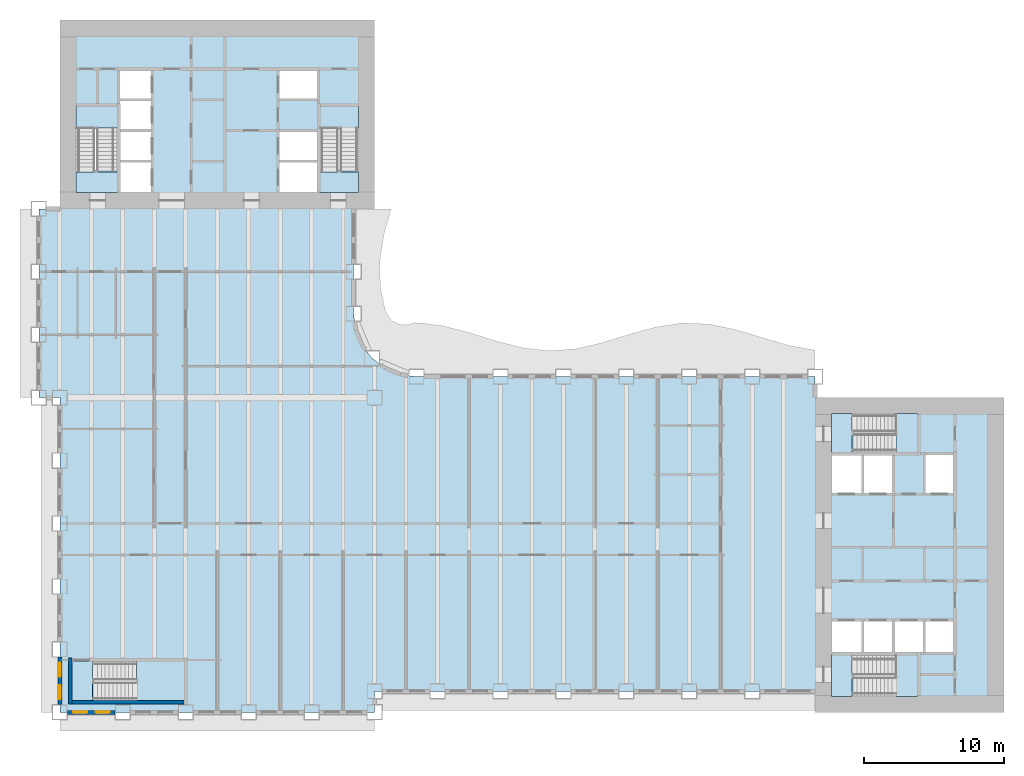
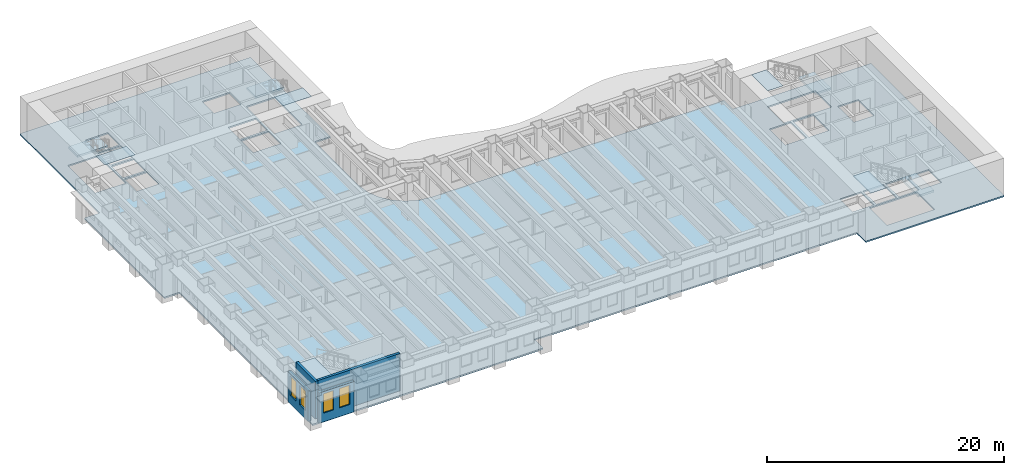
# One storey, part 2 of 16: 11 slabs, 4 walls, 4 windows, 4 openings, 5 elements without a shape of their own.
"""IFC4 building model written with IfcOpenShell, lengths in metres."""

from ifc_helpers import new_model, si_unit, direction, frame, frame_2d, origin, place, context, subcontext, project, spatial, polyline, rectangle, outline, extrude, material, layer, layer_set, type_object, element, fill, aggregate, save


model = new_model("IFC4")

# Units and contexts
model_context = context("Model", 3, precision=1e-05, world=origin(), true_north=direction((0.0, 1.0)))
body_context = subcontext(model_context, "Body", "Model", "MODEL_VIEW")
ifc_project = project(units=[si_unit("LENGTHUNIT", "METRE"), si_unit("AREAUNIT", "SQUARE_METRE"), si_unit("VOLUMEUNIT", "CUBIC_METRE"), si_unit("PLANEANGLEUNIT", "RADIAN"), si_unit("MASSUNIT", "GRAM", prefix="KILO")], contexts=[model_context])

# Site, building, storey
site_placement = place(None, origin())
site = spatial("IfcSite", under=ifc_project, at=site_placement, CompositionType="ELEMENT")
building_placement = place(site_placement, origin())
building = spatial("IfcBuilding", under=site, at=building_placement, Name="Sennacour Bend Tower", CompositionType="ELEMENT")
storey_placement = place(building_placement, frame((0.0, 0.0, 45.0)))
storey = spatial("IfcBuildingStorey", under=building, at=storey_placement, Name="L09", CompositionType="ELEMENT", Elevation=45.0)

# Slabs
ifc_material_1 = material(Name="Concrete C30/37", Category="concrete")
ifc_layer_1 = layer(ifc_material_1, 0.14990234375, Name="Concrete C30/37", Category="concrete")
ifc_layer_set_1 = layer_set([ifc_layer_1], Name="Concrete C30/37")
slab_type_1 = type_object("IfcSlabType", Name="Floor slab 150", PredefinedType="FLOOR", material=ifc_layer_set_1)
slab_1_placement = place(storey_placement, frame((0.0, 0.0, -0.14990234375)))
element("IfcSlab", 1, at=slab_1_placement, inside=storey, type_object=slab_type_1, Name="Floor slab L09-01", PredefinedType="FLOOR", context=body_context, shape_type="SweptSolid", body=[
    extrude(outline(polyline([(0.0, 22.5), (-1.5, 22.5), (-1.5, 36.0), (0.0, 36.0), (0.0, 49.5), (22.5, 49.5), (22.5, 36.0), (21.0, 36.0), (21.0, 28.5), (21.1533203125, 27.335205078125), (21.602783203125, 26.25), (22.318115234375, 25.318115234375), (23.25, 24.602783203125), (24.335205078125, 24.1533203125), (25.5, 24.0), (54.0, 24.0), (54.0, 22.5), (67.5, 22.5), (67.5, 0.0), (54.0, 0.0), (54.0, 1.5), (22.5, 1.5), (22.5, 0.0), (0.0, 0.0), (0.0, 22.5)]), holes=[polyline([(8.800048828125, 0.949951171875), (8.800048828125, 3.5), (2.429931640625, 3.5), (2.429931640625, 0.949951171875), (8.800048828125, 0.949951171875)]), polyline([(6.5, 37.199951171875), (6.5, 39.300048828125), (4.300048828125, 39.300048828125), (4.300048828125, 37.199951171875), (6.5, 37.199951171875)]), polyline([(18.39990234375, 37.199951171875), (18.39990234375, 39.300048828125), (15.699951171875, 39.300048828125), (15.699951171875, 37.199951171875), (18.39990234375, 37.199951171875)]), polyline([(6.5, 39.5), (6.5, 41.5), (4.300048828125, 41.5), (4.300048828125, 39.5), (6.5, 39.5)]), polyline([(18.39990234375, 39.5), (18.39990234375, 41.5), (15.699951171875, 41.5), (15.699951171875, 39.5), (18.39990234375, 39.5)]), polyline([(4.125, 38.72998046875), (4.125, 43.39990234375), (1.14990234375, 43.39990234375), (1.14990234375, 38.72998046875), (4.125, 38.72998046875)]), polyline([(21.35009765625, 38.72998046875), (21.35009765625, 43.39990234375), (18.574951171875, 43.39990234375), (18.574951171875, 38.72998046875), (21.35009765625, 38.72998046875)]), polyline([(4.300048828125, 41.699951171875), (6.5, 41.699951171875), (6.5, 43.699951171875), (4.300048828125, 43.699951171875), (4.300048828125, 41.699951171875)]), polyline([(4.300048828125, 43.89990234375), (6.5, 43.89990234375), (6.5, 45.89990234375), (4.300048828125, 45.89990234375), (4.300048828125, 43.89990234375)]), polyline([(18.39990234375, 43.89990234375), (18.39990234375, 45.89990234375), (15.699951171875, 45.89990234375), (15.699951171875, 43.89990234375), (18.39990234375, 43.89990234375)]), polyline([(61.39990234375, 1.14990234375), (61.39990234375, 4.125), (56.72998046875, 4.125), (56.72998046875, 1.14990234375), (61.39990234375, 1.14990234375)]), polyline([(57.300048828125, 4.300048828125), (57.300048828125, 6.5), (55.199951171875, 6.5), (55.199951171875, 4.300048828125), (57.300048828125, 4.300048828125)]), polyline([(57.5, 4.300048828125), (59.5, 4.300048828125), (59.5, 6.5), (57.5, 6.5), (57.5, 4.300048828125)]), polyline([(59.699951171875, 4.300048828125), (61.699951171875, 4.300048828125), (61.699951171875, 6.5), (59.699951171875, 6.5), (59.699951171875, 4.300048828125)]), polyline([(63.89990234375, 4.300048828125), (63.89990234375, 6.5), (61.89990234375, 6.5), (61.89990234375, 4.300048828125), (63.89990234375, 4.300048828125)]), polyline([(57.300048828125, 15.699951171875), (57.300048828125, 18.39990234375), (55.199951171875, 18.39990234375), (55.199951171875, 15.699951171875), (57.300048828125, 15.699951171875)]), polyline([(59.5, 15.699951171875), (59.5, 18.39990234375), (57.5, 18.39990234375), (57.5, 15.699951171875), (59.5, 15.699951171875)]), polyline([(61.89990234375, 15.699951171875), (63.89990234375, 15.699951171875), (63.89990234375, 18.39990234375), (61.89990234375, 18.39990234375), (61.89990234375, 15.699951171875)]), polyline([(56.72998046875, 18.574951171875), (61.39990234375, 18.574951171875), (61.39990234375, 21.35009765625), (56.72998046875, 21.35009765625), (56.72998046875, 18.574951171875)])]), origin(), (0.0, 0.0, 1.0), 0.14990234375),
])
ifc_material_2 = material(Name="Concrete C40/50", Category="concrete")
ifc_layer_2 = layer(ifc_material_2, 0.034912109375, Name="Concrete C40/50", Category="concrete")
ifc_layer_set_2 = layer_set([ifc_layer_2], Name="Concrete C40/50")
slab_type_2 = type_object("IfcSlabType", Name="Stair arrival nib 35", PredefinedType="FLOOR", material=ifc_layer_set_2)
slab_2_placement = place(storey_placement, frame((0.0, 0.0, 3.815185546875)))
element("IfcSlab", 2, at=slab_2_placement, inside=storey, type_object=slab_type_2, Name="L09 SA1 stair arrival nib", PredefinedType="FLOOR", context=body_context, shape_type="SweptSolid", body=[
    extrude(outline(polyline([(56.64208984375, 4.125), (55.14990234375, 4.125), (55.14990234375, 1.14990234375), (56.64208984375, 1.14990234375), (56.64208984375, 4.125)])), origin(), (0.0, 0.0, 1.0), 0.034912109375),
])
slab_3_placement = place(storey_placement, frame((0.0, 0.0, 3.815185546875)))
element("IfcSlab", 3, at=slab_3_placement, inside=storey, type_object=slab_type_2, Name="L09 SA2 stair arrival nib", PredefinedType="FLOOR", context=body_context, shape_type="SweptSolid", body=[
    extrude(outline(polyline([(56.64208984375, 21.35009765625), (55.14990234375, 21.35009765625), (55.14990234375, 18.574951171875), (56.64208984375, 18.574951171875), (56.64208984375, 21.35009765625)])), origin(), (0.0, 0.0, 1.0), 0.034912109375),
])
slab_4_placement = place(storey_placement, frame((0.0, 0.0, 3.815185546875)))
element("IfcSlab", 4, at=slab_4_placement, inside=storey, type_object=slab_type_2, Name="L09 SB1 stair arrival nib", PredefinedType="FLOOR", context=body_context, shape_type="SweptSolid", body=[
    extrude(outline(polyline([(1.14990234375, 38.64208984375), (1.14990234375, 37.14990234375), (4.125, 37.14990234375), (4.125, 38.64208984375), (1.14990234375, 38.64208984375)])), origin(), (0.0, 0.0, 1.0), 0.034912109375),
])
slab_5_placement = place(storey_placement, frame((0.0, 0.0, 3.815185546875)))
element("IfcSlab", 5, at=slab_5_placement, inside=storey, type_object=slab_type_2, Name="L09 SB2 stair arrival nib", PredefinedType="FLOOR", context=body_context, shape_type="SweptSolid", body=[
    extrude(outline(polyline([(18.574951171875, 38.64208984375), (18.574951171875, 37.14990234375), (21.35009765625, 37.14990234375), (21.35009765625, 38.64208984375), (18.574951171875, 38.64208984375)])), origin(), (0.0, 0.0, 1.0), 0.034912109375),
])
slab_6_placement = place(storey_placement, frame((0.0, 0.0, 3.815185546875)))
element("IfcSlab", 6, at=slab_6_placement, inside=storey, type_object=slab_type_2, Name="L09 SK1 stair arrival nib", PredefinedType="FLOOR", context=body_context, shape_type="SweptSolid", body=[
    extrude(outline(polyline([(2.342041015625, 3.675048828125), (0.800048828125, 3.675048828125), (0.800048828125, 0.800048828125), (2.342041015625, 0.800048828125), (2.342041015625, 3.675048828125)])), origin(), (0.0, 0.0, 1.0), 0.034912109375),
])

# Stair, slab
stair_type = type_object("IfcStairType", Name="ST-DOGLEG", PredefinedType="HALF_TURN_STAIR", material=ifc_material_2)
stair_1_placement = place(storey_placement, origin())
stair_1 = element("IfcStair", 7, at=stair_1_placement, inside=storey, type_object=stair_type, Name="L09 Exit stair A1", PredefinedType="HALF_TURN_STAIR")
ifc_layer_3 = layer(ifc_material_2, 0.199951171875, Name="Concrete C40/50", Category="concrete")
ifc_layer_set_3 = layer_set([ifc_layer_3], Name="Concrete C40/50")
slab_type_3 = type_object("IfcSlabType", Name="Stair landing 200", PredefinedType="LANDING", material=ifc_layer_set_3)
slab_7_placement = place(storey_placement, frame((0.0, 0.0, 1.800048828125)))
slab_7 = element("IfcSlab", 8, at=slab_7_placement, type_object=slab_type_3, Name="SA1 landing 1", PredefinedType="LANDING", context=body_context, shape_type="SweptSolid", body=[
    extrude(outline(polyline([(59.780029296875, 1.14990234375), (61.324951171875, 1.14990234375), (61.324951171875, 4.125), (59.780029296875, 4.125), (59.780029296875, 1.14990234375)])), origin(), (0.0, 0.0, 1.0), 0.199951171875),
])
aggregate(stair_1, [slab_7])

stair_2_placement = place(storey_placement, origin())
stair_2 = element("IfcStair", 9, at=stair_2_placement, inside=storey, type_object=stair_type, Name="L09 Exit stair A2", PredefinedType="HALF_TURN_STAIR")
slab_8_placement = place(storey_placement, frame((0.0, 0.0, 1.800048828125)))
slab_8 = element("IfcSlab", 10, at=slab_8_placement, type_object=slab_type_3, Name="SA2 landing 1", PredefinedType="LANDING", context=body_context, shape_type="SweptSolid", body=[
    extrude(outline(polyline([(59.780029296875, 18.574951171875), (61.324951171875, 18.574951171875), (61.324951171875, 21.35009765625), (59.780029296875, 21.35009765625), (59.780029296875, 18.574951171875)])), origin(), (0.0, 0.0, 1.0), 0.199951171875),
])
aggregate(stair_2, [slab_8])

stair_3_placement = place(storey_placement, origin())
stair_3 = element("IfcStair", 11, at=stair_3_placement, inside=storey, type_object=stair_type, Name="L09 Exit stair B1", PredefinedType="HALF_TURN_STAIR")
slab_9_placement = place(storey_placement, frame((0.0, 0.0, 1.800048828125)))
slab_9 = element("IfcSlab", 12, at=slab_9_placement, type_object=slab_type_3, Name="SB1 landing 1", PredefinedType="LANDING", context=body_context, shape_type="SweptSolid", body=[
    extrude(outline(polyline([(1.14990234375, 41.780029296875), (4.125, 41.780029296875), (4.125, 43.324951171875), (1.14990234375, 43.324951171875), (1.14990234375, 41.780029296875)])), origin(), (0.0, 0.0, 1.0), 0.199951171875),
])
aggregate(stair_3, [slab_9])

stair_4_placement = place(storey_placement, origin())
stair_4 = element("IfcStair", 13, at=stair_4_placement, inside=storey, type_object=stair_type, Name="L09 Exit stair B2", PredefinedType="HALF_TURN_STAIR")
slab_10_placement = place(storey_placement, frame((0.0, 0.0, 1.800048828125)))
slab_10 = element("IfcSlab", 14, at=slab_10_placement, type_object=slab_type_3, Name="SB2 landing 1", PredefinedType="LANDING", context=body_context, shape_type="SweptSolid", body=[
    extrude(outline(polyline([(18.574951171875, 41.780029296875), (21.35009765625, 41.780029296875), (21.35009765625, 43.324951171875), (18.574951171875, 43.324951171875), (18.574951171875, 41.780029296875)])), origin(), (0.0, 0.0, 1.0), 0.199951171875),
])
aggregate(stair_4, [slab_10])

stair_5_placement = place(storey_placement, origin())
stair_5 = element("IfcStair", 15, at=stair_5_placement, inside=storey, type_object=stair_type, Name="L09 Exit stair K1", PredefinedType="HALF_TURN_STAIR")
slab_11_placement = place(storey_placement, frame((0.0, 0.0, 1.800048828125)))
slab_11 = element("IfcSlab", 16, at=slab_11_placement, type_object=slab_type_3, Name="SK1 landing 1", PredefinedType="LANDING", context=body_context, shape_type="SweptSolid", body=[
    extrude(outline(polyline([(5.47998046875, 0.800048828125), (8.925048828125, 0.800048828125), (8.925048828125, 3.675048828125), (5.47998046875, 3.675048828125), (5.47998046875, 0.800048828125)])), origin(), (0.0, 0.0, 1.0), 0.199951171875),
])
aggregate(stair_5, [slab_11])

# Wall, openings, windows
ifc_material_3 = material(Name="Warm limestone cladding", Category="masonry")
ifc_layer_4 = layer(ifc_material_3, 0.050048828125, Name="Warm limestone cladding", Category="masonry")
ifc_material_4 = material(Name="Precast concrete C40/50", Category="concrete")
ifc_layer_5 = layer(ifc_material_4, 0.25, Name="Precast concrete C40/50", Category="concrete")
ifc_layer_set_4 = layer_set([ifc_layer_4, ifc_layer_5], Name="Precast concrete C40/50 with limestone cladding")
wall_type_1 = type_object("IfcWallType", Name="STONE-CLAD PRECAST SPANDREL 300", PredefinedType="STANDARD", material=ifc_layer_set_4)
wall_1_placement = place(storey_placement, frame((0.550048828125, 0.0, 0.0), z_axis=(0.0, 0.0, 1.0), x_axis=(1.0, 0.0, 0.0)))
wall_1 = element("IfcWall", 17, at=wall_1_placement, inside=storey, type_object=wall_type_1, Name="Stone spandrel and pier wall L09 00.00", PredefinedType="STANDARD", context=body_context, shape_type="SweptSolid", body=[
    extrude(rectangle(XDim=3.39990234375, YDim=0.300048828125, at=frame_2d((1.699951171875, 0.0))), origin(), (0.0, 0.0, 1.0), 3.14404296875),
])
opening_1_placement = place(wall_1_placement, frame((0.39990234375, 0.0, 0.89990234375)))
opening_1 = element("IfcOpeningElement", 18, at=opening_1_placement, cuts=wall_1, Name="Opening W8", PredefinedType="OPENING", context=body_context, shape_type="SweptSolid", body=[
    extrude(rectangle(XDim=1.0, YDim=2.0, at=frame_2d((0.5, 1.0))), frame((0.0, 0.16015625, 0.0), z_axis=(0.0, -1.0, 0.0), x_axis=(1.0, 0.0, 0.0)), (0.0, 0.0, 1.0), 0.320068359375),
])
opening_2_placement = place(wall_1_placement, frame((2.0, 0.0, 0.89990234375)))
opening_2 = element("IfcOpeningElement", 19, at=opening_2_placement, cuts=wall_1, Name="Opening W8", PredefinedType="OPENING", context=body_context, shape_type="SweptSolid", body=[
    extrude(rectangle(XDim=1.0, YDim=2.0, at=frame_2d((0.5, 1.0))), frame((0.0, 0.16015625, 0.0), z_axis=(0.0, -1.0, 0.0), x_axis=(1.0, 0.0, 0.0)), (0.0, 0.0, 1.0), 0.320068359375),
])
ifc_material_5 = material(Name="Clear low-emissivity glass", Category="glass")
window_type = type_object("IfcWindowType", Name="WIN-RIBBON-1000x2000", PartitioningType="SINGLE_PANEL", PredefinedType="WINDOW", material=ifc_material_5)
window_1_placement = place(opening_1_placement, origin())
window_1 = element("IfcWindow", 20, at=window_1_placement, inside=storey, type_object=window_type, Name="Ribbon window L09 00.00.0", OverallHeight=2.0, OverallWidth=1.0, PartitioningType="SINGLE_PANEL", PredefinedType="WINDOW", context=body_context, shape_type="SweptSolid", body=[
    extrude(rectangle(XDim=1.0, YDim=2.0, at=frame_2d((0.5, 1.0))), frame((0.0, 0.030029296875, 0.0), z_axis=(0.0, -1.0, 0.0), x_axis=(1.0, 0.0, 0.0)), (0.0, 0.0, 1.0), 0.06005859375),
])
fill(opening_1, window_1)
window_2_placement = place(opening_2_placement, origin())
window_2 = element("IfcWindow", 21, at=window_2_placement, inside=storey, type_object=window_type, Name="Ribbon window L09 00.00.1", OverallHeight=2.0, OverallWidth=1.0, PartitioningType="SINGLE_PANEL", PredefinedType="WINDOW", context=body_context, shape_type="SweptSolid", body=[
    extrude(rectangle(XDim=1.0, YDim=2.0, at=frame_2d((0.5, 1.0))), frame((0.0, 0.030029296875, 0.0), z_axis=(0.0, -1.0, 0.0), x_axis=(1.0, 0.0, 0.0)), (0.0, 0.0, 1.0), 0.06005859375),
])
fill(opening_2, window_2)

wall_2_placement = place(storey_placement, frame((0.0, 3.949951171875, 0.0), z_axis=(0.0, 0.0, 1.0), x_axis=(0.0, -1.0, 0.0)))
wall_2 = element("IfcWall", 22, at=wall_2_placement, inside=storey, type_object=wall_type_1, Name="Stone spandrel and pier wall L09 23.04", PredefinedType="STANDARD", context=body_context, shape_type="SweptSolid", body=[
    extrude(rectangle(XDim=3.39990234375, YDim=0.300048828125, at=frame_2d((1.699951171875, 0.0))), origin(), (0.0, 0.0, 1.0), 3.14404296875),
])
opening_3_placement = place(wall_2_placement, frame((0.39990234375, 0.0, 0.89990234375)))
opening_3 = element("IfcOpeningElement", 23, at=opening_3_placement, cuts=wall_2, Name="Opening W8", PredefinedType="OPENING", context=body_context, shape_type="SweptSolid", body=[
    extrude(rectangle(XDim=1.0, YDim=2.0, at=frame_2d((0.5, 1.0))), frame((0.0, 0.16015625, 0.0), z_axis=(0.0, -1.0, 0.0), x_axis=(1.0, 0.0, 0.0)), (0.0, 0.0, 1.0), 0.320068359375),
])
opening_4_placement = place(wall_2_placement, frame((2.0, 0.0, 0.89990234375)))
opening_4 = element("IfcOpeningElement", 24, at=opening_4_placement, cuts=wall_2, Name="Opening W8", PredefinedType="OPENING", context=body_context, shape_type="SweptSolid", body=[
    extrude(rectangle(XDim=1.0, YDim=2.0, at=frame_2d((0.5, 1.0))), frame((0.0, 0.16015625, 0.0), z_axis=(0.0, -1.0, 0.0), x_axis=(1.0, 0.0, 0.0)), (0.0, 0.0, 1.0), 0.320068359375),
])
window_3_placement = place(opening_3_placement, origin())
window_3 = element("IfcWindow", 25, at=window_3_placement, inside=storey, type_object=window_type, Name="Ribbon window L09 23.04.0", OverallHeight=2.0, OverallWidth=1.0, PartitioningType="SINGLE_PANEL", PredefinedType="WINDOW", context=body_context, shape_type="SweptSolid", body=[
    extrude(rectangle(XDim=1.0, YDim=2.0, at=frame_2d((0.5, 1.0))), frame((0.0, 0.030029296875, 0.0), z_axis=(0.0, -1.0, 0.0), x_axis=(1.0, 0.0, 0.0)), (0.0, 0.0, 1.0), 0.06005859375),
])
fill(opening_3, window_3)
window_4_placement = place(opening_4_placement, origin())
window_4 = element("IfcWindow", 26, at=window_4_placement, inside=storey, type_object=window_type, Name="Ribbon window L09 23.04.1", OverallHeight=2.0, OverallWidth=1.0, PartitioningType="SINGLE_PANEL", PredefinedType="WINDOW", context=body_context, shape_type="SweptSolid", body=[
    extrude(rectangle(XDim=1.0, YDim=2.0, at=frame_2d((0.5, 1.0))), frame((0.0, 0.030029296875, 0.0), z_axis=(0.0, -1.0, 0.0), x_axis=(1.0, 0.0, 0.0)), (0.0, 0.0, 1.0), 0.06005859375),
])
fill(opening_4, window_4)

# Walls
ifc_material_6 = material(Name="Concrete C60/75", Category="concrete")
ifc_layer_6 = layer(ifc_material_6, 0.25, Name="Concrete C60/75", Category="concrete")
ifc_layer_set_5 = layer_set([ifc_layer_6], Name="Concrete C60/75")
wall_type_2 = type_object("IfcWallType", Name="Stair wall 250", PredefinedType="SHEAR", material=ifc_layer_set_5)
wall_3_placement = place(storey_placement, frame((0.72509765625, 0.60009765625, 0.0), z_axis=(0.0, 0.0, 1.0), x_axis=(0.0, 1.0, 0.0)))
element("IfcWall", 27, at=wall_3_placement, inside=storey, type_object=wall_type_2, Name="P-L09-W003", PredefinedType="SHEAR", context=body_context, shape_type="SweptSolid", body=[
    extrude(rectangle(XDim=3.27490234375, YDim=0.25, at=frame_2d((1.637451171875, 0.0))), origin(), (0.0, 0.0, 1.0), 3.85009765625),
])
wall_4_placement = place(storey_placement, frame((0.85009765625, 0.72509765625, 0.0), z_axis=(0.0, 0.0, 1.0), x_axis=(1.0, 0.0, 0.0)))
element("IfcWall", 28, at=wall_4_placement, inside=storey, type_object=wall_type_2, Name="P-L09-W049", PredefinedType="SHEAR", context=body_context, shape_type="SweptSolid", body=[
    extrude(rectangle(XDim=8.02490234375, YDim=0.25, at=frame_2d((4.012451171875, 0.0))), origin(), (0.0, 0.0, 1.0), 3.85009765625),
])

save(model, "model.ifc")
